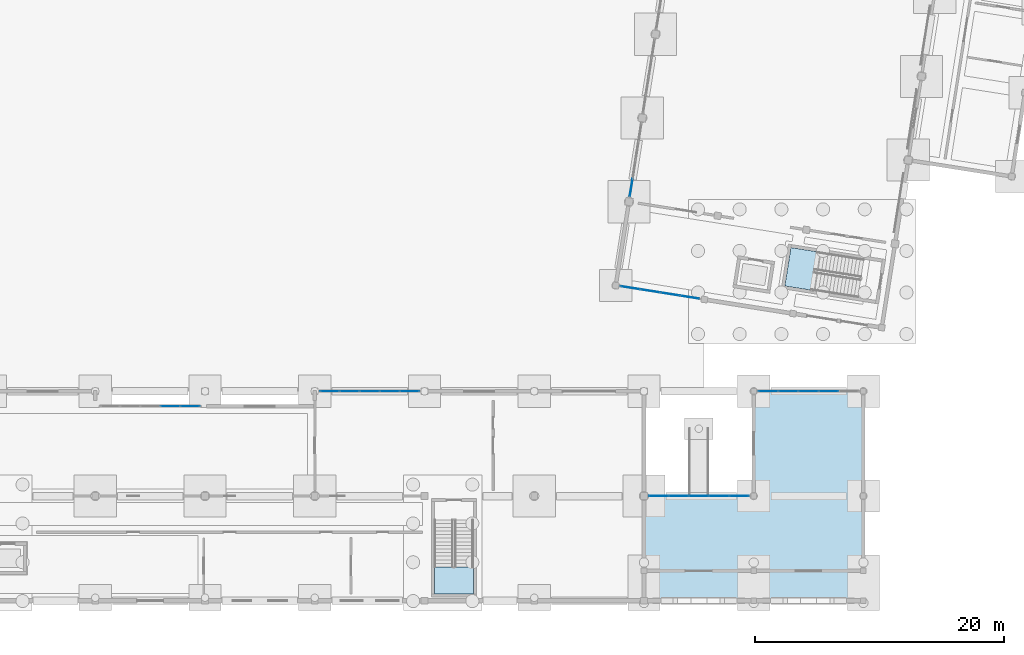
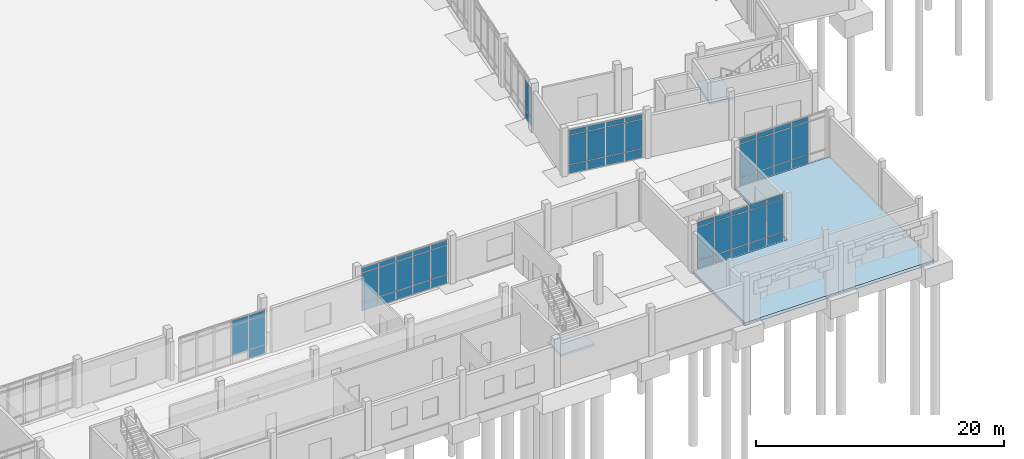
# One storey, part 34 of 72: 61 plates, 3 slabs, 8 elements without a shape of their own.
"""IFC4 building model written with IfcOpenShell, lengths in metres."""

from ifc_helpers import new_model, si_unit, direction, frame, origin, origin_2d, place, context, subcontext, project, spatial, polyline, rectangle, outline, extrude, material, layer, layer_set, type_object, element, aggregate, save


model = new_model("IFC4")

# Units and contexts
model_context = context("Model", 3, precision=1e-05, world=origin(), true_north=direction((0.0, 1.0)))
body_context = subcontext(model_context, "Body", "Model", "MODEL_VIEW")
ifc_project = project(units=[si_unit("LENGTHUNIT", "METRE"), si_unit("AREAUNIT", "SQUARE_METRE"), si_unit("VOLUMEUNIT", "CUBIC_METRE"), si_unit("PLANEANGLEUNIT", "RADIAN"), si_unit("MASSUNIT", "GRAM", prefix="KILO")], contexts=[model_context])

# Site, building, storey
site_placement = place(None, origin())
site = spatial("IfcSite", under=ifc_project, at=site_placement, CompositionType="ELEMENT")
building_placement = place(site_placement, origin())
building = spatial("IfcBuilding", under=site, at=building_placement, Name="Cinderway Yard Community Centre", CompositionType="ELEMENT")
storey_placement = place(building_placement, origin())
storey = spatial("IfcBuildingStorey", under=building, at=storey_placement, Name="L00", CompositionType="ELEMENT", Elevation=0.0)

# Curtain wall, plates
ifc_material_1 = material(Name="Aluminium 6063-T6", Category="aluminium")
curtain_wall_type_1 = type_object("IfcCurtainWallType", Name="ENV-CW-TYPE-13", PredefinedType="USERDEFINED", material=ifc_material_1)
curtain_wall_1_placement = place(storey_placement, origin())
curtain_wall_1 = element("IfcCurtainWall", 1, at=curtain_wall_1_placement, inside=storey, type_object=curtain_wall_type_1, Name="Sports South Lobby Curtain Wall ENV-CW-L00-ST-0050", ObjectType="GLAZED CURTAIN WALL", PredefinedType="USERDEFINED")
ifc_material_2 = material(Name="Laminated Low-E Glass", Category="glass")
ifc_layer_1 = layer(ifc_material_2, 0.028076171875, Name="Laminated Low-E Glass")
ifc_layer_set_1 = layer_set([ifc_layer_1], Name="Laminated Low-E Glass")
plate_type_1 = type_object("IfcPlateType", Name="ENV-CW-PAN-IGU28", PredefinedType="CURTAIN_PANEL", material=ifc_layer_set_1)
plate_1_placement = place(storey_placement, frame((118.10693359375, 31.098876953125, 0.06005859375), z_axis=(0.0, 0.0, 1.0), x_axis=(0.987656379077, -0.156636128875, 0.0)))
plate_1 = element("IfcPlate", 2, at=plate_1_placement, type_object=plate_type_1, Name="CW-13 panel 1.1", PredefinedType="CURTAIN_PANEL", context=body_context, shape_type="SweptSolid", body=[
    extrude(rectangle(XDim=1.530029296875, YDim=0.028076171875, at=origin_2d()), origin(), (0.0, 0.0, 1.0), 0.81005859375),
])
plate_2_placement = place(storey_placement, frame((118.10693359375, 31.098876953125, 0.93017578125), z_axis=(0.0, 0.0, 1.0), x_axis=(0.987656379077, -0.156636128875, 0.0)))
plate_2 = element("IfcPlate", 3, at=plate_2_placement, type_object=plate_type_1, Name="CW-13 panel 1.2", PredefinedType="CURTAIN_PANEL", context=body_context, shape_type="SweptSolid", body=[
    extrude(rectangle(XDim=1.530029296875, YDim=0.028076171875, at=origin_2d()), origin(), (0.0, 0.0, 1.0), 2.840087890625),
])
plate_3_placement = place(storey_placement, frame((118.10693359375, 31.098876953125, 3.830078125), z_axis=(0.0, 0.0, 1.0), x_axis=(0.987656379077, -0.156636128875, 0.0)))
plate_3 = element("IfcPlate", 4, at=plate_3_placement, type_object=plate_type_1, Name="CW-13 panel 1.3", PredefinedType="CURTAIN_PANEL", context=body_context, shape_type="SweptSolid", body=[
    extrude(rectangle(XDim=1.530029296875, YDim=0.028076171875, at=origin_2d()), origin(), (0.0, 0.0, 1.0), 0.4599609375),
])
plate_4_placement = place(storey_placement, frame((119.69189453125, 30.847412109375, 0.06005859375), z_axis=(0.0, 0.0, 1.0), x_axis=(0.987656379077, -0.156636128875, 0.0)))
plate_4 = element("IfcPlate", 5, at=plate_4_placement, type_object=plate_type_1, Name="CW-13 panel 2.1", PredefinedType="CURTAIN_PANEL", context=body_context, shape_type="SweptSolid", body=[
    extrude(rectangle(XDim=1.56005859375, YDim=0.028076171875, at=origin_2d()), origin(), (0.0, 0.0, 1.0), 0.81005859375),
])
plate_5_placement = place(storey_placement, frame((119.69189453125, 30.847412109375, 0.93017578125), z_axis=(0.0, 0.0, 1.0), x_axis=(0.987656379077, -0.156636128875, 0.0)))
plate_5 = element("IfcPlate", 6, at=plate_5_placement, type_object=plate_type_1, Name="CW-13 panel 2.2", PredefinedType="CURTAIN_PANEL", context=body_context, shape_type="SweptSolid", body=[
    extrude(rectangle(XDim=1.56005859375, YDim=0.028076171875, at=origin_2d()), origin(), (0.0, 0.0, 1.0), 2.840087890625),
])
plate_6_placement = place(storey_placement, frame((119.69189453125, 30.847412109375, 3.830078125), z_axis=(0.0, 0.0, 1.0), x_axis=(0.987656379077, -0.156636128875, 0.0)))
plate_6 = element("IfcPlate", 7, at=plate_6_placement, type_object=plate_type_1, Name="CW-13 panel 2.3", PredefinedType="CURTAIN_PANEL", context=body_context, shape_type="SweptSolid", body=[
    extrude(rectangle(XDim=1.56005859375, YDim=0.028076171875, at=origin_2d()), origin(), (0.0, 0.0, 1.0), 0.4599609375),
])
plate_7_placement = place(storey_placement, frame((121.2919921875, 30.593505859375, 0.06005859375), z_axis=(0.0, 0.0, 1.0), x_axis=(0.987656379077, -0.156636128875, 0.0)))
plate_7 = element("IfcPlate", 8, at=plate_7_placement, type_object=plate_type_1, Name="CW-13 panel 3.1", PredefinedType="CURTAIN_PANEL", context=body_context, shape_type="SweptSolid", body=[
    extrude(rectangle(XDim=1.56005859375, YDim=0.028076171875, at=origin_2d()), origin(), (0.0, 0.0, 1.0), 0.81005859375),
])
plate_8_placement = place(storey_placement, frame((121.2919921875, 30.593505859375, 0.93017578125), z_axis=(0.0, 0.0, 1.0), x_axis=(0.987656379077, -0.156636128875, 0.0)))
plate_8 = element("IfcPlate", 9, at=plate_8_placement, type_object=plate_type_1, Name="CW-13 panel 3.2", PredefinedType="CURTAIN_PANEL", context=body_context, shape_type="SweptSolid", body=[
    extrude(rectangle(XDim=1.56005859375, YDim=0.028076171875, at=origin_2d()), origin(), (0.0, 0.0, 1.0), 2.840087890625),
])
plate_9_placement = place(storey_placement, frame((121.2919921875, 30.593505859375, 3.830078125), z_axis=(0.0, 0.0, 1.0), x_axis=(0.987656379077, -0.156636128875, 0.0)))
plate_9 = element("IfcPlate", 10, at=plate_9_placement, type_object=plate_type_1, Name="CW-13 panel 3.3", PredefinedType="CURTAIN_PANEL", context=body_context, shape_type="SweptSolid", body=[
    extrude(rectangle(XDim=1.56005859375, YDim=0.028076171875, at=origin_2d()), origin(), (0.0, 0.0, 1.0), 0.4599609375),
])
plate_10_placement = place(storey_placement, frame((122.877197265625, 30.34228515625, 0.06005859375), z_axis=(0.0, 0.0, 1.0), x_axis=(0.987656379077, -0.156636128875, 0.0)))
plate_10 = element("IfcPlate", 11, at=plate_10_placement, type_object=plate_type_1, Name="CW-13 panel 4.1", PredefinedType="CURTAIN_PANEL", context=body_context, shape_type="SweptSolid", body=[
    extrude(rectangle(XDim=1.530029296875, YDim=0.028076171875, at=origin_2d()), origin(), (0.0, 0.0, 1.0), 0.81005859375),
])
plate_11_placement = place(storey_placement, frame((122.877197265625, 30.34228515625, 0.93017578125), z_axis=(0.0, 0.0, 1.0), x_axis=(0.987656379077, -0.156636128875, 0.0)))
plate_11 = element("IfcPlate", 12, at=plate_11_placement, type_object=plate_type_1, Name="CW-13 panel 4.2", PredefinedType="CURTAIN_PANEL", context=body_context, shape_type="SweptSolid", body=[
    extrude(rectangle(XDim=1.530029296875, YDim=0.028076171875, at=origin_2d()), origin(), (0.0, 0.0, 1.0), 2.840087890625),
])
plate_12_placement = place(storey_placement, frame((122.877197265625, 30.34228515625, 3.830078125), z_axis=(0.0, 0.0, 1.0), x_axis=(0.987656379077, -0.156636128875, 0.0)))
plate_12 = element("IfcPlate", 13, at=plate_12_placement, type_object=plate_type_1, Name="CW-13 panel 4.3", PredefinedType="CURTAIN_PANEL", context=body_context, shape_type="SweptSolid", body=[
    extrude(rectangle(XDim=1.530029296875, YDim=0.028076171875, at=origin_2d()), origin(), (0.0, 0.0, 1.0), 0.4599609375),
])
aggregate(curtain_wall_1, [plate_1, plate_2, plate_3, plate_4, plate_5, plate_6, plate_7, plate_8, plate_9, plate_10, plate_11, plate_12])

curtain_wall_type_2 = type_object("IfcCurtainWallType", Name="ENV-CW-TYPE-35", PredefinedType="USERDEFINED", material=ifc_material_1)
curtain_wall_2_placement = place(storey_placement, origin())
curtain_wall_2 = element("IfcCurtainWall", 14, at=curtain_wall_2_placement, inside=storey, type_object=curtain_wall_type_2, Name="East Arcade Courtyard Curtain Wall ENV-CW-L00-ST-0198", ObjectType="GLAZED CURTAIN WALL", PredefinedType="USERDEFINED")
plate_13_placement = place(storey_placement, frame((120.375, 14.39990234375, 0.06005859375), z_axis=(0.0, 0.0, 1.0), x_axis=(1.0, 0.0, 0.0)))
plate_13 = element("IfcPlate", 15, at=plate_13_placement, type_object=plate_type_1, Name="CW-35 panel 1.1", PredefinedType="CURTAIN_PANEL", context=body_context, shape_type="SweptSolid", body=[
    extrude(rectangle(XDim=1.530029296875, YDim=0.028076171875, at=origin_2d()), origin(), (0.0, 0.0, 1.0), 0.81005859375),
])
plate_14_placement = place(storey_placement, frame((120.375, 14.39990234375, 0.929931640625), z_axis=(0.0, 0.0, 1.0), x_axis=(1.0, 0.0, 0.0)))
plate_14 = element("IfcPlate", 16, at=plate_14_placement, type_object=plate_type_1, Name="CW-35 panel 1.2", PredefinedType="CURTAIN_PANEL", context=body_context, shape_type="SweptSolid", body=[
    extrude(rectangle(XDim=1.530029296875, YDim=0.028076171875, at=origin_2d()), origin(), (0.0, 0.0, 1.0), 3.18994140625),
])
plate_15_placement = place(storey_placement, frame((120.375, 14.39990234375, 4.179931640625), z_axis=(0.0, 0.0, 1.0), x_axis=(1.0, 0.0, 0.0)))
plate_15 = element("IfcPlate", 17, at=plate_15_placement, type_object=plate_type_1, Name="CW-35 panel 1.3", PredefinedType="CURTAIN_PANEL", context=body_context, shape_type="SweptSolid", body=[
    extrude(rectangle(XDim=1.530029296875, YDim=0.028076171875, at=origin_2d()), origin(), (0.0, 0.0, 1.0), 0.4599609375),
])
plate_16_placement = place(storey_placement, frame((121.97998046875, 14.39990234375, 0.06005859375), z_axis=(0.0, 0.0, 1.0), x_axis=(1.0, 0.0, 0.0)))
plate_16 = element("IfcPlate", 18, at=plate_16_placement, type_object=plate_type_1, Name="CW-35 panel 2.1", PredefinedType="CURTAIN_PANEL", context=body_context, shape_type="SweptSolid", body=[
    extrude(rectangle(XDim=1.56005859375, YDim=0.028076171875, at=origin_2d()), origin(), (0.0, 0.0, 1.0), 0.81005859375),
])
plate_17_placement = place(storey_placement, frame((121.97998046875, 14.39990234375, 0.929931640625), z_axis=(0.0, 0.0, 1.0), x_axis=(1.0, 0.0, 0.0)))
plate_17 = element("IfcPlate", 19, at=plate_17_placement, type_object=plate_type_1, Name="CW-35 panel 2.2", PredefinedType="CURTAIN_PANEL", context=body_context, shape_type="SweptSolid", body=[
    extrude(rectangle(XDim=1.56005859375, YDim=0.028076171875, at=origin_2d()), origin(), (0.0, 0.0, 1.0), 3.18994140625),
])
plate_18_placement = place(storey_placement, frame((121.97998046875, 14.39990234375, 4.179931640625), z_axis=(0.0, 0.0, 1.0), x_axis=(1.0, 0.0, 0.0)))
plate_18 = element("IfcPlate", 20, at=plate_18_placement, type_object=plate_type_1, Name="CW-35 panel 2.3", PredefinedType="CURTAIN_PANEL", context=body_context, shape_type="SweptSolid", body=[
    extrude(rectangle(XDim=1.56005859375, YDim=0.028076171875, at=origin_2d()), origin(), (0.0, 0.0, 1.0), 0.4599609375),
])
plate_19_placement = place(storey_placement, frame((123.60009765625, 14.39990234375, 0.06005859375), z_axis=(0.0, 0.0, 1.0), x_axis=(1.0, 0.0, 0.0)))
plate_19 = element("IfcPlate", 21, at=plate_19_placement, type_object=plate_type_1, Name="CW-35 panel 3.1", PredefinedType="CURTAIN_PANEL", context=body_context, shape_type="SweptSolid", body=[
    extrude(rectangle(XDim=1.56005859375, YDim=0.028076171875, at=origin_2d()), origin(), (0.0, 0.0, 1.0), 0.81005859375),
])
plate_20_placement = place(storey_placement, frame((123.60009765625, 14.39990234375, 0.929931640625), z_axis=(0.0, 0.0, 1.0), x_axis=(1.0, 0.0, 0.0)))
plate_20 = element("IfcPlate", 22, at=plate_20_placement, type_object=plate_type_1, Name="CW-35 panel 3.2", PredefinedType="CURTAIN_PANEL", context=body_context, shape_type="SweptSolid", body=[
    extrude(rectangle(XDim=1.56005859375, YDim=0.028076171875, at=origin_2d()), origin(), (0.0, 0.0, 1.0), 3.18994140625),
])
plate_21_placement = place(storey_placement, frame((123.60009765625, 14.39990234375, 4.179931640625), z_axis=(0.0, 0.0, 1.0), x_axis=(1.0, 0.0, 0.0)))
plate_21 = element("IfcPlate", 23, at=plate_21_placement, type_object=plate_type_1, Name="CW-35 panel 3.3", PredefinedType="CURTAIN_PANEL", context=body_context, shape_type="SweptSolid", body=[
    extrude(rectangle(XDim=1.56005859375, YDim=0.028076171875, at=origin_2d()), origin(), (0.0, 0.0, 1.0), 0.4599609375),
])
plate_22_placement = place(storey_placement, frame((125.219970703125, 14.39990234375, 0.06005859375), z_axis=(0.0, 0.0, 1.0), x_axis=(1.0, 0.0, 0.0)))
plate_22 = element("IfcPlate", 24, at=plate_22_placement, type_object=plate_type_1, Name="CW-35 panel 4.1", PredefinedType="CURTAIN_PANEL", context=body_context, shape_type="SweptSolid", body=[
    extrude(rectangle(XDim=1.56005859375, YDim=0.028076171875, at=origin_2d()), origin(), (0.0, 0.0, 1.0), 0.81005859375),
])
plate_23_placement = place(storey_placement, frame((125.219970703125, 14.39990234375, 0.929931640625), z_axis=(0.0, 0.0, 1.0), x_axis=(1.0, 0.0, 0.0)))
plate_23 = element("IfcPlate", 25, at=plate_23_placement, type_object=plate_type_1, Name="CW-35 panel 4.2", PredefinedType="CURTAIN_PANEL", context=body_context, shape_type="SweptSolid", body=[
    extrude(rectangle(XDim=1.56005859375, YDim=0.028076171875, at=origin_2d()), origin(), (0.0, 0.0, 1.0), 3.18994140625),
])
plate_24_placement = place(storey_placement, frame((125.219970703125, 14.39990234375, 4.179931640625), z_axis=(0.0, 0.0, 1.0), x_axis=(1.0, 0.0, 0.0)))
plate_24 = element("IfcPlate", 26, at=plate_24_placement, type_object=plate_type_1, Name="CW-35 panel 4.3", PredefinedType="CURTAIN_PANEL", context=body_context, shape_type="SweptSolid", body=[
    extrude(rectangle(XDim=1.56005859375, YDim=0.028076171875, at=origin_2d()), origin(), (0.0, 0.0, 1.0), 0.4599609375),
])
plate_25_placement = place(storey_placement, frame((126.824951171875, 14.39990234375, 0.06005859375), z_axis=(0.0, 0.0, 1.0), x_axis=(1.0, 0.0, 0.0)))
plate_25 = element("IfcPlate", 27, at=plate_25_placement, type_object=plate_type_1, Name="CW-35 panel 5.1", PredefinedType="CURTAIN_PANEL", context=body_context, shape_type="SweptSolid", body=[
    extrude(rectangle(XDim=1.530029296875, YDim=0.028076171875, at=origin_2d()), origin(), (0.0, 0.0, 1.0), 0.81005859375),
])
plate_26_placement = place(storey_placement, frame((126.824951171875, 14.39990234375, 0.929931640625), z_axis=(0.0, 0.0, 1.0), x_axis=(1.0, 0.0, 0.0)))
plate_26 = element("IfcPlate", 28, at=plate_26_placement, type_object=plate_type_1, Name="CW-35 panel 5.2", PredefinedType="CURTAIN_PANEL", context=body_context, shape_type="SweptSolid", body=[
    extrude(rectangle(XDim=1.530029296875, YDim=0.028076171875, at=origin_2d()), origin(), (0.0, 0.0, 1.0), 3.18994140625),
])
plate_27_placement = place(storey_placement, frame((126.824951171875, 14.39990234375, 4.179931640625), z_axis=(0.0, 0.0, 1.0), x_axis=(1.0, 0.0, 0.0)))
plate_27 = element("IfcPlate", 29, at=plate_27_placement, type_object=plate_type_1, Name="CW-35 panel 5.3", PredefinedType="CURTAIN_PANEL", context=body_context, shape_type="SweptSolid", body=[
    extrude(rectangle(XDim=1.530029296875, YDim=0.028076171875, at=origin_2d()), origin(), (0.0, 0.0, 1.0), 0.4599609375),
])
aggregate(curtain_wall_2, [plate_13, plate_14, plate_15, plate_16, plate_17, plate_18, plate_19, plate_20, plate_21, plate_22, plate_23, plate_24, plate_25, plate_26, plate_27])

curtain_wall_3_placement = place(storey_placement, origin())
curtain_wall_3 = element("IfcCurtainWall", 30, at=curtain_wall_3_placement, inside=storey, type_object=curtain_wall_type_2, Name="East Arcade Kiosk Curtain Wall ENV-CW-L00-ST-0199", ObjectType="GLAZED CURTAIN WALL", PredefinedType="USERDEFINED")
plate_28_placement = place(storey_placement, frame((129.175048828125, 22.800048828125, 0.06005859375), z_axis=(0.0, 0.0, 1.0), x_axis=(1.0, 0.0, 0.0)))
plate_28 = element("IfcPlate", 31, at=plate_28_placement, type_object=plate_type_1, Name="CW-35 panel 1.1", PredefinedType="CURTAIN_PANEL", context=body_context, shape_type="SweptSolid", body=[
    extrude(rectangle(XDim=1.530029296875, YDim=0.028076171875, at=origin_2d()), origin(), (0.0, 0.0, 1.0), 0.81005859375),
])
plate_29_placement = place(storey_placement, frame((129.175048828125, 22.800048828125, 0.929931640625), z_axis=(0.0, 0.0, 1.0), x_axis=(1.0, 0.0, 0.0)))
plate_29 = element("IfcPlate", 32, at=plate_29_placement, type_object=plate_type_1, Name="CW-35 panel 1.2", PredefinedType="CURTAIN_PANEL", context=body_context, shape_type="SweptSolid", body=[
    extrude(rectangle(XDim=1.530029296875, YDim=0.028076171875, at=origin_2d()), origin(), (0.0, 0.0, 1.0), 3.18994140625),
])
plate_30_placement = place(storey_placement, frame((129.175048828125, 22.800048828125, 4.179931640625), z_axis=(0.0, 0.0, 1.0), x_axis=(1.0, 0.0, 0.0)))
plate_30 = element("IfcPlate", 33, at=plate_30_placement, type_object=plate_type_1, Name="CW-35 panel 1.3", PredefinedType="CURTAIN_PANEL", context=body_context, shape_type="SweptSolid", body=[
    extrude(rectangle(XDim=1.530029296875, YDim=0.028076171875, at=origin_2d()), origin(), (0.0, 0.0, 1.0), 0.4599609375),
])
plate_31_placement = place(storey_placement, frame((130.780029296875, 22.800048828125, 0.06005859375), z_axis=(0.0, 0.0, 1.0), x_axis=(1.0, 0.0, 0.0)))
plate_31 = element("IfcPlate", 34, at=plate_31_placement, type_object=plate_type_1, Name="CW-35 panel 2.1", PredefinedType="CURTAIN_PANEL", context=body_context, shape_type="SweptSolid", body=[
    extrude(rectangle(XDim=1.56005859375, YDim=0.028076171875, at=origin_2d()), origin(), (0.0, 0.0, 1.0), 0.81005859375),
])
plate_32_placement = place(storey_placement, frame((130.780029296875, 22.800048828125, 0.929931640625), z_axis=(0.0, 0.0, 1.0), x_axis=(1.0, 0.0, 0.0)))
plate_32 = element("IfcPlate", 35, at=plate_32_placement, type_object=plate_type_1, Name="CW-35 panel 2.2", PredefinedType="CURTAIN_PANEL", context=body_context, shape_type="SweptSolid", body=[
    extrude(rectangle(XDim=1.56005859375, YDim=0.028076171875, at=origin_2d()), origin(), (0.0, 0.0, 1.0), 3.18994140625),
])
plate_33_placement = place(storey_placement, frame((130.780029296875, 22.800048828125, 4.179931640625), z_axis=(0.0, 0.0, 1.0), x_axis=(1.0, 0.0, 0.0)))
plate_33 = element("IfcPlate", 36, at=plate_33_placement, type_object=plate_type_1, Name="CW-35 panel 2.3", PredefinedType="CURTAIN_PANEL", context=body_context, shape_type="SweptSolid", body=[
    extrude(rectangle(XDim=1.56005859375, YDim=0.028076171875, at=origin_2d()), origin(), (0.0, 0.0, 1.0), 0.4599609375),
])
plate_34_placement = place(storey_placement, frame((132.39990234375, 22.800048828125, 0.06005859375), z_axis=(0.0, 0.0, 1.0), x_axis=(1.0, 0.0, 0.0)))
plate_34 = element("IfcPlate", 37, at=plate_34_placement, type_object=plate_type_1, Name="CW-35 panel 3.1", PredefinedType="CURTAIN_PANEL", context=body_context, shape_type="SweptSolid", body=[
    extrude(rectangle(XDim=1.56005859375, YDim=0.028076171875, at=origin_2d()), origin(), (0.0, 0.0, 1.0), 0.81005859375),
])
plate_35_placement = place(storey_placement, frame((132.39990234375, 22.800048828125, 0.929931640625), z_axis=(0.0, 0.0, 1.0), x_axis=(1.0, 0.0, 0.0)))
plate_35 = element("IfcPlate", 38, at=plate_35_placement, type_object=plate_type_1, Name="CW-35 panel 3.2", PredefinedType="CURTAIN_PANEL", context=body_context, shape_type="SweptSolid", body=[
    extrude(rectangle(XDim=1.56005859375, YDim=0.028076171875, at=origin_2d()), origin(), (0.0, 0.0, 1.0), 3.18994140625),
])
plate_36_placement = place(storey_placement, frame((132.39990234375, 22.800048828125, 4.179931640625), z_axis=(0.0, 0.0, 1.0), x_axis=(1.0, 0.0, 0.0)))
plate_36 = element("IfcPlate", 39, at=plate_36_placement, type_object=plate_type_1, Name="CW-35 panel 3.3", PredefinedType="CURTAIN_PANEL", context=body_context, shape_type="SweptSolid", body=[
    extrude(rectangle(XDim=1.56005859375, YDim=0.028076171875, at=origin_2d()), origin(), (0.0, 0.0, 1.0), 0.4599609375),
])
plate_37_placement = place(storey_placement, frame((134.02001953125, 22.800048828125, 0.06005859375), z_axis=(0.0, 0.0, 1.0), x_axis=(1.0, 0.0, 0.0)))
plate_37 = element("IfcPlate", 40, at=plate_37_placement, type_object=plate_type_1, Name="CW-35 panel 4.1", PredefinedType="CURTAIN_PANEL", context=body_context, shape_type="SweptSolid", body=[
    extrude(rectangle(XDim=1.56005859375, YDim=0.028076171875, at=origin_2d()), origin(), (0.0, 0.0, 1.0), 0.81005859375),
])
plate_38_placement = place(storey_placement, frame((134.02001953125, 22.800048828125, 0.929931640625), z_axis=(0.0, 0.0, 1.0), x_axis=(1.0, 0.0, 0.0)))
plate_38 = element("IfcPlate", 41, at=plate_38_placement, type_object=plate_type_1, Name="CW-35 panel 4.2", PredefinedType="CURTAIN_PANEL", context=body_context, shape_type="SweptSolid", body=[
    extrude(rectangle(XDim=1.56005859375, YDim=0.028076171875, at=origin_2d()), origin(), (0.0, 0.0, 1.0), 3.18994140625),
])
plate_39_placement = place(storey_placement, frame((134.02001953125, 22.800048828125, 4.179931640625), z_axis=(0.0, 0.0, 1.0), x_axis=(1.0, 0.0, 0.0)))
plate_39 = element("IfcPlate", 42, at=plate_39_placement, type_object=plate_type_1, Name="CW-35 panel 4.3", PredefinedType="CURTAIN_PANEL", context=body_context, shape_type="SweptSolid", body=[
    extrude(rectangle(XDim=1.56005859375, YDim=0.028076171875, at=origin_2d()), origin(), (0.0, 0.0, 1.0), 0.4599609375),
])
aggregate(curtain_wall_3, [plate_28, plate_29, plate_30, plate_31, plate_32, plate_33, plate_34, plate_35, plate_36, plate_37, plate_38, plate_39])

curtain_wall_type_3 = type_object("IfcCurtainWallType", Name="ENV-CW-TYPE-12", PredefinedType="USERDEFINED", material=ifc_material_1)
curtain_wall_4_placement = place(storey_placement, origin())
curtain_wall_4 = element("IfcCurtainWall", 43, at=curtain_wall_4_placement, inside=storey, type_object=curtain_wall_type_3, Name="Sports Hall Courtyard Curtain Wall ENV-CW-L00-HS-0044", ObjectType="GLAZED CURTAIN WALL", PredefinedType="USERDEFINED")
ifc_layer_2 = layer(ifc_material_2, 0.031982421875, Name="Laminated Low-E Glass")
ifc_layer_set_2 = layer_set([ifc_layer_2], Name="Laminated Low-E Glass")
plate_type_2 = type_object("IfcPlateType", Name="ENV-CW-PAN-IGU32", PredefinedType="CURTAIN_PANEL", material=ifc_layer_set_2)
plate_40_placement = place(storey_placement, frame((118.1796875, 39.135498046875, 0.06005859375), z_axis=(0.0, 0.0, 1.0), x_axis=(0.156608625643, 0.987660740525, 0.0)))
plate_40 = element("IfcPlate", 44, at=plate_40_placement, type_object=plate_type_2, Name="CW-12 panel 1.1", PredefinedType="CURTAIN_PANEL", context=body_context, shape_type="SweptSolid", body=[
    extrude(rectangle(XDim=1.420166015625, YDim=0.028076171875, at=origin_2d()), origin(), (0.0, 0.0, 1.0), 0.81005859375),
])
plate_41_placement = place(storey_placement, frame((118.1796875, 39.135498046875, 0.93017578125), z_axis=(0.0, 0.0, 1.0), x_axis=(0.156608625643, 0.987660740525, 0.0)))
plate_41 = element("IfcPlate", 45, at=plate_41_placement, type_object=plate_type_2, Name="CW-12 panel 1.2", PredefinedType="CURTAIN_PANEL", context=body_context, shape_type="SweptSolid", body=[
    extrude(rectangle(XDim=1.420166015625, YDim=0.028076171875, at=origin_2d()), origin(), (0.0, 0.0, 1.0), 2.840087890625),
])
aggregate(curtain_wall_4, [plate_40, plate_41])

curtain_wall_type_4 = type_object("IfcCurtainWallType", Name="ENV-CW-TYPE-25", PredefinedType="USERDEFINED", material=ifc_material_1)
curtain_wall_5_placement = place(storey_placement, origin())
curtain_wall_5 = element("IfcCurtainWall", 46, at=curtain_wall_5_placement, inside=storey, type_object=curtain_wall_type_4, Name="Dining Courtyard Curtain Wall ENV-CW-L00-HS-0091", ObjectType="GLAZED CURTAIN WALL", PredefinedType="USERDEFINED")
plate_42_placement = place(storey_placement, frame((81.2080078125, 21.60009765625, 0.93017578125), z_axis=(0.0, 0.0, 1.0), x_axis=(1.0, 0.0, 0.0)))
plate_42 = element("IfcPlate", 47, at=plate_42_placement, type_object=plate_type_2, Name="CW-25 panel 4.2", PredefinedType="CURTAIN_PANEL", context=body_context, shape_type="SweptSolid", body=[
    extrude(rectangle(XDim=1.548095703125, YDim=0.028076171875, at=origin_2d()), origin(), (0.0, 0.0, 1.0), 2.840087890625),
])
plate_43_placement = place(storey_placement, frame((81.2080078125, 21.60009765625, 3.830078125), z_axis=(0.0, 0.0, 1.0), x_axis=(1.0, 0.0, 0.0)))
plate_43 = element("IfcPlate", 48, at=plate_43_placement, type_object=plate_type_2, Name="CW-25 panel 4.3", PredefinedType="CURTAIN_PANEL", context=body_context, shape_type="SweptSolid", body=[
    extrude(rectangle(XDim=1.548095703125, YDim=0.028076171875, at=origin_2d()), origin(), (0.0, 0.0, 1.0), 0.4599609375),
])
plate_44_placement = place(storey_placement, frame((82.801025390625, 21.60009765625, 0.06005859375), z_axis=(0.0, 0.0, 1.0), x_axis=(1.0, 0.0, 0.0)))
plate_44 = element("IfcPlate", 49, at=plate_44_placement, type_object=plate_type_2, Name="CW-25 panel 5.1", PredefinedType="CURTAIN_PANEL", context=body_context, shape_type="SweptSolid", body=[
    extrude(rectangle(XDim=1.51806640625, YDim=0.028076171875, at=origin_2d()), origin(), (0.0, 0.0, 1.0), 0.81005859375),
])
plate_45_placement = place(storey_placement, frame((82.801025390625, 21.60009765625, 0.93017578125), z_axis=(0.0, 0.0, 1.0), x_axis=(1.0, 0.0, 0.0)))
plate_45 = element("IfcPlate", 50, at=plate_45_placement, type_object=plate_type_2, Name="CW-25 panel 5.2", PredefinedType="CURTAIN_PANEL", context=body_context, shape_type="SweptSolid", body=[
    extrude(rectangle(XDim=1.51806640625, YDim=0.028076171875, at=origin_2d()), origin(), (0.0, 0.0, 1.0), 2.840087890625),
])
plate_46_placement = place(storey_placement, frame((82.801025390625, 21.60009765625, 3.830078125), z_axis=(0.0, 0.0, 1.0), x_axis=(1.0, 0.0, 0.0)))
plate_46 = element("IfcPlate", 51, at=plate_46_placement, type_object=plate_type_2, Name="CW-25 panel 5.3", PredefinedType="CURTAIN_PANEL", context=body_context, shape_type="SweptSolid", body=[
    extrude(rectangle(XDim=1.51806640625, YDim=0.028076171875, at=origin_2d()), origin(), (0.0, 0.0, 1.0), 0.4599609375),
])
aggregate(curtain_wall_5, [plate_42, plate_43, plate_44, plate_45, plate_46])

curtain_wall_6_placement = place(storey_placement, origin())
curtain_wall_6 = element("IfcCurtainWall", 52, at=curtain_wall_6_placement, inside=storey, type_object=curtain_wall_type_4, Name="Dining Courtyard Curtain Wall ENV-CW-L00-HS-0092", ObjectType="GLAZED CURTAIN WALL", PredefinedType="USERDEFINED")
plate_47_placement = place(storey_placement, frame((93.9990234375, 22.800048828125, 0.06005859375), z_axis=(0.0, 0.0, 1.0), x_axis=(1.0, 0.0, 0.0)))
plate_47 = element("IfcPlate", 53, at=plate_47_placement, type_object=plate_type_2, Name="CW-25 panel 1.1", PredefinedType="CURTAIN_PANEL", context=body_context, shape_type="SweptSolid", body=[
    extrude(rectangle(XDim=1.51806640625, YDim=0.028076171875, at=origin_2d()), origin(), (0.0, 0.0, 1.0), 0.81005859375),
])
plate_48_placement = place(storey_placement, frame((93.9990234375, 22.800048828125, 0.93017578125), z_axis=(0.0, 0.0, 1.0), x_axis=(1.0, 0.0, 0.0)))
plate_48 = element("IfcPlate", 54, at=plate_48_placement, type_object=plate_type_2, Name="CW-25 panel 1.2", PredefinedType="CURTAIN_PANEL", context=body_context, shape_type="SweptSolid", body=[
    extrude(rectangle(XDim=1.51806640625, YDim=0.028076171875, at=origin_2d()), origin(), (0.0, 0.0, 1.0), 2.840087890625),
])
plate_49_placement = place(storey_placement, frame((93.9990234375, 22.800048828125, 3.830078125), z_axis=(0.0, 0.0, 1.0), x_axis=(1.0, 0.0, 0.0)))
plate_49 = element("IfcPlate", 55, at=plate_49_placement, type_object=plate_type_2, Name="CW-25 panel 1.3", PredefinedType="CURTAIN_PANEL", context=body_context, shape_type="SweptSolid", body=[
    extrude(rectangle(XDim=1.51806640625, YDim=0.028076171875, at=origin_2d()), origin(), (0.0, 0.0, 1.0), 0.4599609375),
])
plate_50_placement = place(storey_placement, frame((95.592041015625, 22.800048828125, 0.06005859375), z_axis=(0.0, 0.0, 1.0), x_axis=(1.0, 0.0, 0.0)))
plate_50 = element("IfcPlate", 56, at=plate_50_placement, type_object=plate_type_2, Name="CW-25 panel 2.1", PredefinedType="CURTAIN_PANEL", context=body_context, shape_type="SweptSolid", body=[
    extrude(rectangle(XDim=1.548095703125, YDim=0.028076171875, at=origin_2d()), origin(), (0.0, 0.0, 1.0), 0.81005859375),
])
plate_51_placement = place(storey_placement, frame((95.592041015625, 22.800048828125, 0.93017578125), z_axis=(0.0, 0.0, 1.0), x_axis=(1.0, 0.0, 0.0)))
plate_51 = element("IfcPlate", 57, at=plate_51_placement, type_object=plate_type_2, Name="CW-25 panel 2.2", PredefinedType="CURTAIN_PANEL", context=body_context, shape_type="SweptSolid", body=[
    extrude(rectangle(XDim=1.548095703125, YDim=0.028076171875, at=origin_2d()), origin(), (0.0, 0.0, 1.0), 2.840087890625),
])
plate_52_placement = place(storey_placement, frame((95.592041015625, 22.800048828125, 3.830078125), z_axis=(0.0, 0.0, 1.0), x_axis=(1.0, 0.0, 0.0)))
plate_52 = element("IfcPlate", 58, at=plate_52_placement, type_object=plate_type_2, Name="CW-25 panel 2.3", PredefinedType="CURTAIN_PANEL", context=body_context, shape_type="SweptSolid", body=[
    extrude(rectangle(XDim=1.548095703125, YDim=0.028076171875, at=origin_2d()), origin(), (0.0, 0.0, 1.0), 0.4599609375),
])
plate_53_placement = place(storey_placement, frame((97.199951171875, 22.800048828125, 0.06005859375), z_axis=(0.0, 0.0, 1.0), x_axis=(1.0, 0.0, 0.0)))
plate_53 = element("IfcPlate", 59, at=plate_53_placement, type_object=plate_type_2, Name="CW-25 panel 3.1", PredefinedType="CURTAIN_PANEL", context=body_context, shape_type="SweptSolid", body=[
    extrude(rectangle(XDim=1.548095703125, YDim=0.028076171875, at=origin_2d()), origin(), (0.0, 0.0, 1.0), 0.81005859375),
])
plate_54_placement = place(storey_placement, frame((97.199951171875, 22.800048828125, 0.93017578125), z_axis=(0.0, 0.0, 1.0), x_axis=(1.0, 0.0, 0.0)))
plate_54 = element("IfcPlate", 60, at=plate_54_placement, type_object=plate_type_2, Name="CW-25 panel 3.2", PredefinedType="CURTAIN_PANEL", context=body_context, shape_type="SweptSolid", body=[
    extrude(rectangle(XDim=1.548095703125, YDim=0.028076171875, at=origin_2d()), origin(), (0.0, 0.0, 1.0), 2.840087890625),
])
plate_55_placement = place(storey_placement, frame((97.199951171875, 22.800048828125, 3.830078125), z_axis=(0.0, 0.0, 1.0), x_axis=(1.0, 0.0, 0.0)))
plate_55 = element("IfcPlate", 61, at=plate_55_placement, type_object=plate_type_2, Name="CW-25 panel 3.3", PredefinedType="CURTAIN_PANEL", context=body_context, shape_type="SweptSolid", body=[
    extrude(rectangle(XDim=1.548095703125, YDim=0.028076171875, at=origin_2d()), origin(), (0.0, 0.0, 1.0), 0.4599609375),
])
plate_56_placement = place(storey_placement, frame((98.80810546875, 22.800048828125, 0.06005859375), z_axis=(0.0, 0.0, 1.0), x_axis=(1.0, 0.0, 0.0)))
plate_56 = element("IfcPlate", 62, at=plate_56_placement, type_object=plate_type_2, Name="CW-25 panel 4.1", PredefinedType="CURTAIN_PANEL", context=body_context, shape_type="SweptSolid", body=[
    extrude(rectangle(XDim=1.548095703125, YDim=0.028076171875, at=origin_2d()), origin(), (0.0, 0.0, 1.0), 0.81005859375),
])
plate_57_placement = place(storey_placement, frame((98.80810546875, 22.800048828125, 0.93017578125), z_axis=(0.0, 0.0, 1.0), x_axis=(1.0, 0.0, 0.0)))
plate_57 = element("IfcPlate", 63, at=plate_57_placement, type_object=plate_type_2, Name="CW-25 panel 4.2", PredefinedType="CURTAIN_PANEL", context=body_context, shape_type="SweptSolid", body=[
    extrude(rectangle(XDim=1.548095703125, YDim=0.028076171875, at=origin_2d()), origin(), (0.0, 0.0, 1.0), 2.840087890625),
])
plate_58_placement = place(storey_placement, frame((98.80810546875, 22.800048828125, 3.830078125), z_axis=(0.0, 0.0, 1.0), x_axis=(1.0, 0.0, 0.0)))
plate_58 = element("IfcPlate", 64, at=plate_58_placement, type_object=plate_type_2, Name="CW-25 panel 4.3", PredefinedType="CURTAIN_PANEL", context=body_context, shape_type="SweptSolid", body=[
    extrude(rectangle(XDim=1.548095703125, YDim=0.028076171875, at=origin_2d()), origin(), (0.0, 0.0, 1.0), 0.4599609375),
])
plate_59_placement = place(storey_placement, frame((100.40087890625, 22.800048828125, 0.06005859375), z_axis=(0.0, 0.0, 1.0), x_axis=(1.0, 0.0, 0.0)))
plate_59 = element("IfcPlate", 65, at=plate_59_placement, type_object=plate_type_2, Name="CW-25 panel 5.1", PredefinedType="CURTAIN_PANEL", context=body_context, shape_type="SweptSolid", body=[
    extrude(rectangle(XDim=1.51806640625, YDim=0.028076171875, at=origin_2d()), origin(), (0.0, 0.0, 1.0), 0.81005859375),
])
plate_60_placement = place(storey_placement, frame((100.40087890625, 22.800048828125, 0.93017578125), z_axis=(0.0, 0.0, 1.0), x_axis=(1.0, 0.0, 0.0)))
plate_60 = element("IfcPlate", 66, at=plate_60_placement, type_object=plate_type_2, Name="CW-25 panel 5.2", PredefinedType="CURTAIN_PANEL", context=body_context, shape_type="SweptSolid", body=[
    extrude(rectangle(XDim=1.51806640625, YDim=0.028076171875, at=origin_2d()), origin(), (0.0, 0.0, 1.0), 2.840087890625),
])
plate_61_placement = place(storey_placement, frame((100.40087890625, 22.800048828125, 3.830078125), z_axis=(0.0, 0.0, 1.0), x_axis=(1.0, 0.0, 0.0)))
plate_61 = element("IfcPlate", 67, at=plate_61_placement, type_object=plate_type_2, Name="CW-25 panel 5.3", PredefinedType="CURTAIN_PANEL", context=body_context, shape_type="SweptSolid", body=[
    extrude(rectangle(XDim=1.51806640625, YDim=0.028076171875, at=origin_2d()), origin(), (0.0, 0.0, 1.0), 0.4599609375),
])
aggregate(curtain_wall_6, [plate_47, plate_48, plate_49, plate_50, plate_51, plate_52, plate_53, plate_54, plate_55, plate_56, plate_57, plate_58, plate_59, plate_60, plate_61])

# Stair, slab
ifc_material_3 = material(Name="Concrete C40/50", Category="concrete")
stair_type_1 = type_object("IfcStairType", Name="INT-STR-480A", PredefinedType="HALF_TURN_STAIR", material=ifc_material_3)
stair_1_placement = place(storey_placement, origin())
stair_1 = element("IfcStair", 68, at=stair_1_placement, inside=storey, type_object=stair_type_1, Name="L00 Core C4A Exit Stair ST-07", PredefinedType="HALF_TURN_STAIR")
ifc_layer_3 = layer(ifc_material_3, 0.199951171875, Name="Concrete C40/50")
ifc_layer_set_3 = layer_set([ifc_layer_3], Name="Concrete C40/50")
slab_type_1 = type_object("IfcSlabType", Name="INT-SLB-LND200", PredefinedType="LANDING", material=ifc_layer_set_3)
slab_1_placement = place(storey_placement, frame((0.0, 0.0, 2.199951171875)))
slab_1 = element("IfcSlab", 69, at=slab_1_placement, type_object=slab_type_1, Name="ST-07 landing 1", PredefinedType="LANDING", context=body_context, shape_type="SweptSolid", body=[
    extrude(outline(polyline([(133.108642578125, 33.9873046875), (130.985107421875, 34.32373046875), (130.4970703125, 31.241943359375), (132.62060546875, 30.90576171875), (133.108642578125, 33.9873046875)])), origin(), (0.0, 0.0, 1.0), 0.199951171875),
])
aggregate(stair_1, [slab_1])

stair_type_2 = type_object("IfcStairType", Name="INT-STR-480B", PredefinedType="HALF_TURN_STAIR", material=ifc_material_3)
stair_2_placement = place(storey_placement, origin())
stair_2 = element("IfcStair", 70, at=stair_2_placement, inside=storey, type_object=stair_type_2, Name="L00 Core C5B Exit Stair ST-10", PredefinedType="HALF_TURN_STAIR")
slab_2_placement = place(storey_placement, frame((0.0, 0.0, 2.199951171875)))
slab_2 = element("IfcSlab", 71, at=slab_2_placement, type_object=slab_type_1, Name="ST-10 landing 1", PredefinedType="LANDING", context=body_context, shape_type="SweptSolid", body=[
    extrude(outline(polyline([(102.39990234375, 8.699951171875), (102.39990234375, 6.550048828125), (105.52001953125, 6.550048828125), (105.52001953125, 8.699951171875), (102.39990234375, 8.699951171875)])), origin(), (0.0, 0.0, 1.0), 0.199951171875),
])
aggregate(stair_2, [slab_2])

# Slab
ifc_material_4 = material(Name="Concrete C35/45", Category="concrete")
ifc_layer_4 = layer(ifc_material_4, 0.300048828125, Name="Concrete C35/45")
ifc_layer_set_4 = layer_set([ifc_layer_4], Name="Concrete C35/45")
slab_type_2 = type_object("IfcSlabType", Name="STR-SLAB-BASE-300", PredefinedType="BASESLAB", material=ifc_layer_set_4)
slab_3_placement = place(storey_placement, frame((0.0, 0.0, -0.300048828125)))
element("IfcSlab", 72, at=slab_3_placement, inside=storey, type_object=slab_type_2, Name="East Storm Arcade Ground Slab STR-SLAB-L00-008", PredefinedType="BASESLAB", context=body_context, shape_type="SweptSolid", body=[
    extrude(outline(polyline([(119.199951171875, 6.0), (136.800048828125, 6.0), (136.800048828125, 22.800048828125), (128.0, 22.800048828125), (128.0, 14.39990234375), (119.199951171875, 14.39990234375), (119.199951171875, 6.0)])), origin(), (0.0, 0.0, 1.0), 0.300048828125),
])

save(model, "model.ifc")
